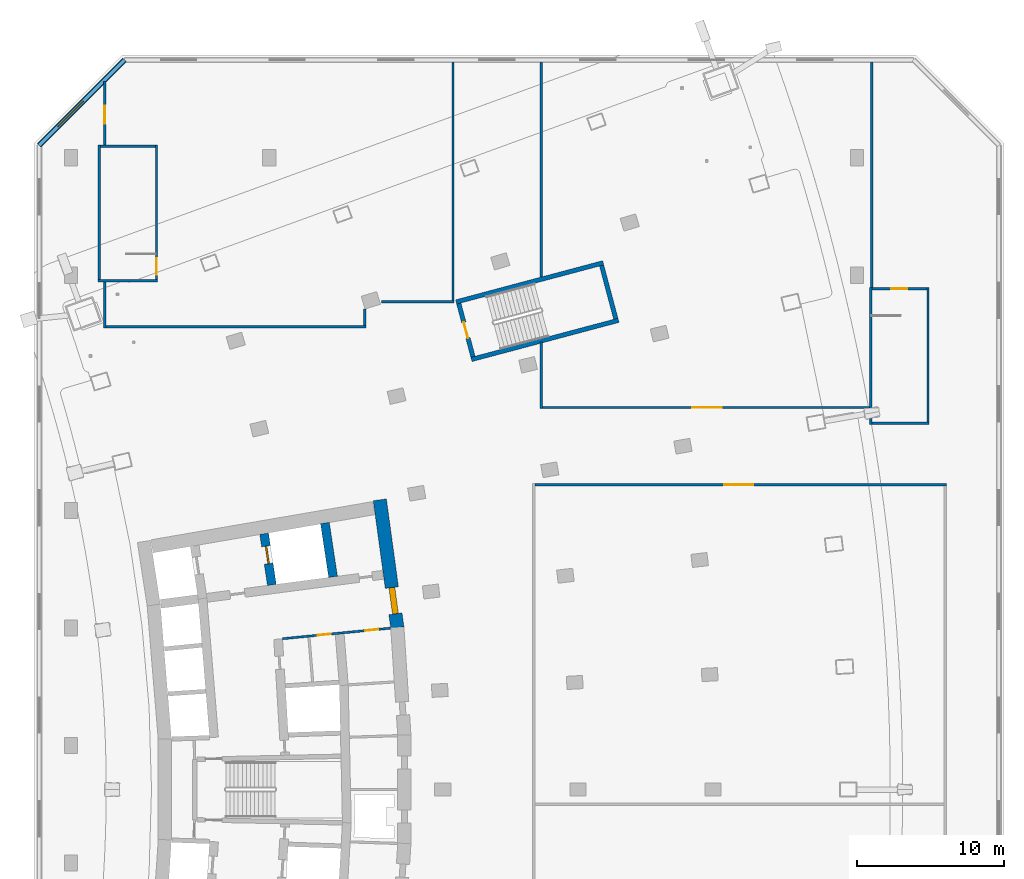
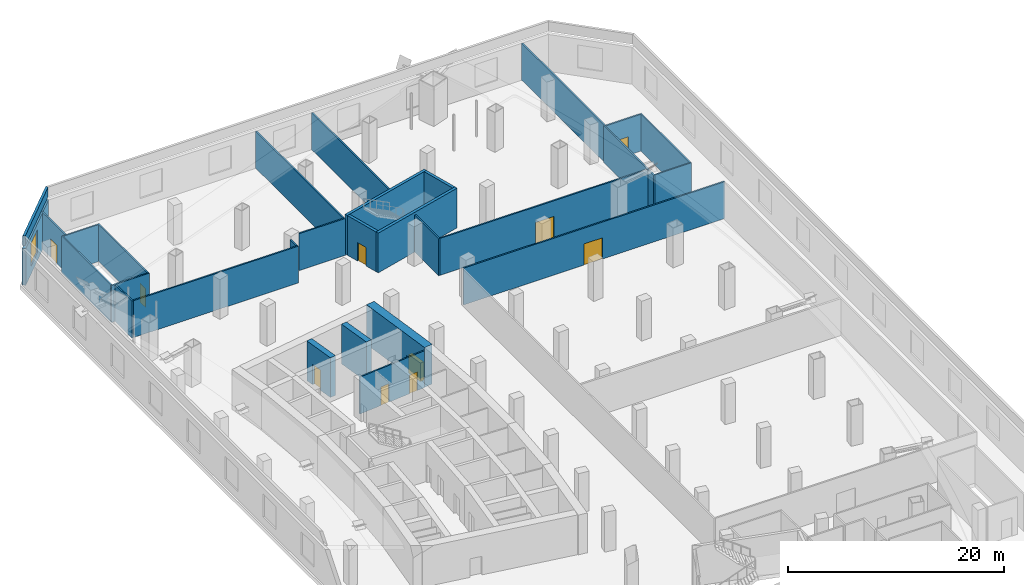
# One storey, part 17 of 19: 29 walls, 10 doors, 1 window, 11 openings.
"""IFC4 building model written with IfcOpenShell, lengths in metres."""

from ifc_helpers import new_model, si_unit, direction, frame, frame_2d, origin, place, context, subcontext, project, spatial, rectangle, extrude, material, layer, layer_set, type_object, element, fill, save


model = new_model("IFC4")

# Units and contexts
model_context = context("Model", 3, precision=1e-05, world=origin(), true_north=direction((0.0, 1.0)))
body_context = subcontext(model_context, "Body", "Model", "MODEL_VIEW")
ifc_project = project(units=[si_unit("LENGTHUNIT", "METRE"), si_unit("AREAUNIT", "SQUARE_METRE"), si_unit("VOLUMEUNIT", "CUBIC_METRE"), si_unit("PLANEANGLEUNIT", "RADIAN"), si_unit("MASSUNIT", "GRAM", prefix="KILO")], contexts=[model_context])

# Site, building, storey
site_placement = place(None, origin())
site = spatial("IfcSite", under=ifc_project, at=site_placement, CompositionType="ELEMENT")
building_placement = place(site_placement, origin())
building = spatial("IfcBuilding", under=site, at=building_placement, Name="Alderwake Tower", CompositionType="ELEMENT")
storey_placement = place(building_placement, frame((0.0, 0.0, 27.5)))
storey = spatial("IfcBuildingStorey", under=building, at=storey_placement, Name="L05", CompositionType="ELEMENT", Elevation=27.5)

# Wall, openings, doors
ifc_material_1 = material(Name="Gypsum shaft wall system, rated")
ifc_layer_1 = layer(ifc_material_1, 0.14990234375)
ifc_layer_set_1 = layer_set([ifc_layer_1], Name="Core room partition 150")
wall_type_1 = type_object("IfcWallType", Name="Core room partition 150", PredefinedType="PARTITIONING", material=ifc_layer_set_1)
wall_1_placement = place(storey_placement, frame((32.233642578125, 71.982177734375, 0.0), z_axis=(0.0, 0.0, 1.0), x_axis=(-0.995245540971, -0.097397706226, 0.0)))
wall_1 = element("IfcWall", 1, at=wall_1_placement, inside=storey, type_object=wall_type_1, Name="CW/L05/PR+102_+86", PredefinedType="PARTITIONING", context=body_context, shape_type="SweptSolid", body=[
    extrude(rectangle(XDim=7.36962890625, YDim=0.14990234375, at=frame_2d((3.684814453125, 0.0))), origin(), (0.0, 0.0, 1.0), 4.179931640625),
])
opening_1_placement = place(wall_1_placement, frame((4.069580078125, 0.0, 0.0)))
opening_1 = element("IfcOpeningElement", 2, at=opening_1_placement, cuts=wall_1, Name="Opening C022", PredefinedType="OPENING", context=body_context, shape_type="SweptSolid", body=[
    extrude(rectangle(XDim=0.89990234375, YDim=2.10009765625, at=frame_2d((0.449951171875, 1.050048828125))), frame((0.0, 0.0849609375, 0.0), z_axis=(0.0, -1.0, 0.0), x_axis=(1.0, 0.0, 0.0)), (0.0, 0.0, 1.0), 0.169921875),
])
opening_2_placement = place(wall_1_placement, frame((0.819580078125, 0.0, 0.0)))
opening_2 = element("IfcOpeningElement", 3, at=opening_2_placement, cuts=wall_1, Name="Opening C036", PredefinedType="OPENING", context=body_context, shape_type="SweptSolid", body=[
    extrude(rectangle(XDim=0.89990234375, YDim=2.10009765625, at=frame_2d((0.449951171875, 1.050048828125))), frame((0.0, 0.0849609375, 0.0), z_axis=(0.0, -1.0, 0.0), x_axis=(1.0, 0.0, 0.0)), (0.0, 0.0, 1.0), 0.169921875),
])
ifc_material_2 = material(Name="Painted steel leaf", Category="steel")
door_type_1 = type_object("IfcDoorType", Name="Core room door 900", OperationType="SINGLE_SWING_LEFT", PredefinedType="DOOR", material=ifc_material_2)
door_1_placement = place(opening_1_placement, origin())
door_1 = element("IfcDoor", 4, at=door_1_placement, inside=storey, type_object=door_type_1, Name="Room door", OperationType="SINGLE_SWING_RIGHT", OverallHeight=2.10009765625, OverallWidth=0.89990234375, PredefinedType="DOOR", context=body_context, shape_type="SweptSolid", body=[
    extrude(rectangle(XDim=0.89990234375, YDim=2.10009765625, at=frame_2d((0.449951171875, 1.050048828125))), frame((0.0, 0.02490234375, 0.0), z_axis=(0.0, -1.0, 0.0), x_axis=(1.0, 0.0, 0.0)), (0.0, 0.0, 1.0), 0.050048828125),
])
fill(opening_1, door_1)
door_2_placement = place(opening_2_placement, origin())
door_2 = element("IfcDoor", 5, at=door_2_placement, inside=storey, type_object=door_type_1, Name="Room door", OperationType="SINGLE_SWING_LEFT", OverallHeight=2.10009765625, OverallWidth=0.89990234375, PredefinedType="DOOR", context=body_context, shape_type="SweptSolid", body=[
    extrude(rectangle(XDim=0.89990234375, YDim=2.10009765625, at=frame_2d((0.449951171875, 1.050048828125))), frame((0.0, 0.02490234375, 0.0), z_axis=(0.0, -1.0, 0.0), x_axis=(1.0, 0.0, 0.0)), (0.0, 0.0, 1.0), 0.050048828125),
])
fill(opening_2, door_2)

# Wall, opening, door
ifc_material_3 = material(Name="Concrete C70/85", Category="concrete")
ifc_layer_2 = layer(ifc_material_3, 0.89990234375)
ifc_layer_set_2 = layer_set([ifc_layer_2], Name="Core wall outer 900 C70-85")
wall_type_2 = type_object("IfcWallType", Name="Core wall outer 900 C70-85", PredefinedType="SHEAR", material=ifc_layer_set_2)
wall_2_placement = place(storey_placement, frame((31.520263671875, 80.7177734375, 0.0), z_axis=(0.0, 0.0, 1.0), x_axis=(0.135844728876, -0.990730139663, 0.0)))
wall_2 = element("IfcWall", 6, at=wall_2_placement, inside=storey, type_object=wall_type_2, Name="Core wall CW.009", PredefinedType="SHEAR", context=body_context, shape_type="SweptSolid", body=[
    extrude(rectangle(XDim=8.78662109375, YDim=0.89990234375, at=frame_2d((4.393310546875, 0.0))), origin(), (0.0, 0.0, 1.0), 4.5),
])
opening_3_placement = place(wall_2_placement, frame((6.02978515625, 0.0, 0.0)))
opening_3 = element("IfcOpeningElement", 7, at=opening_3_placement, cuts=wall_2, Name="Opening C001", PredefinedType="OPENING", context=body_context, shape_type="SweptSolid", body=[
    extrude(rectangle(XDim=1.800048828125, YDim=2.10009765625, at=frame_2d((0.89990234375, 1.050048828125))), frame((0.0, 0.4599609375, 0.0), z_axis=(0.0, -1.0, 0.0), x_axis=(1.0, 0.0, 0.0)), (0.0, 0.0, 1.0), 0.919921875),
])
ifc_material_4 = material(Name="Steel-framed fire door leaves", Category="steel")
door_type_2 = type_object("IfcDoorType", Name="Core double door 1800 fire-rated", OperationType="DOUBLE_DOOR_SINGLE_SWING", PredefinedType="DOOR", material=ifc_material_4)
door_3_placement = place(opening_3_placement, origin())
door_3 = element("IfcDoor", 8, at=door_3_placement, inside=storey, type_object=door_type_2, Name="Lobby double door", OperationType="DOUBLE_DOOR_SINGLE_SWING", OverallHeight=2.10009765625, OverallWidth=1.800048828125, PredefinedType="DOOR", context=body_context, shape_type="SweptSolid", body=[
    extrude(rectangle(XDim=1.800048828125, YDim=2.10009765625, at=frame_2d((0.89990234375, 1.050048828125))), frame((0.0, 0.199951171875, 0.0), z_axis=(0.0, -1.0, 0.0), x_axis=(1.0, 0.0, 0.0)), (0.0, 0.0, 1.0), 0.39990234375),
])
fill(opening_3, door_3)

ifc_material_5 = material(Name="Concrete C70/85", Category="concrete")
ifc_layer_3 = layer(ifc_material_5, 0.60009765625)
ifc_layer_set_3 = layer_set([ifc_layer_3], Name="Core wall spine 600 C70-85")
wall_type_3 = type_object("IfcWallType", Name="Core wall spine 600 C70-85", PredefinedType="SHEAR", material=ifc_layer_set_3)
wall_3_placement = place(storey_placement, frame((24.173095703125, 74.927734375, 0.0), z_axis=(0.0, 0.0, 1.0), x_axis=(-0.14910953086, 0.988820685365, 0.0)))
wall_3 = element("IfcWall", 9, at=wall_3_placement, inside=storey, type_object=wall_type_3, Name="Core wall CW.044", PredefinedType="SHEAR", context=body_context, shape_type="SweptSolid", body=[
    extrude(rectangle(XDim=3.5234375, YDim=0.60009765625, at=frame_2d((1.76171875, 0.0))), origin(), (0.0, 0.0, 1.0), 4.5),
])
opening_4_placement = place(wall_3_placement, frame((1.4619140625, 0.0, 0.0)))
opening_4 = element("IfcOpeningElement", 10, at=opening_4_placement, cuts=wall_3, Name="Opening LD-FF2", PredefinedType="OPENING", context=body_context, shape_type="SweptSolid", body=[
    extrude(rectangle(XDim=1.199951171875, YDim=2.300048828125, at=frame_2d((0.60009765625, 1.14990234375))), frame((0.0, 0.31005859375, 0.0), z_axis=(0.0, -1.0, 0.0), x_axis=(1.0, 0.0, 0.0)), (0.0, 0.0, 1.0), 0.6201171875),
])
ifc_material_6 = material(Name="Stainless steel sliding leaf", Category="steel")
door_type_3 = type_object("IfcDoorType", Name="Lift landing door 1200", OperationType="SLIDING_TO_LEFT", PredefinedType="DOOR", material=ifc_material_6)
door_4_placement = place(opening_4_placement, origin())
door_4 = element("IfcDoor", 11, at=door_4_placement, inside=storey, type_object=door_type_3, Name="Lift landing door FF2", OperationType="SLIDING_TO_LEFT", OverallHeight=2.300048828125, OverallWidth=1.199951171875, PredefinedType="DOOR", context=body_context, shape_type="SweptSolid", body=[
    extrude(rectangle(XDim=1.199951171875, YDim=2.300048828125, at=frame_2d((0.60009765625, 1.14990234375))), frame((0.0, 0.050048828125, 0.0), z_axis=(0.0, -1.0, 0.0), x_axis=(1.0, 0.0, 0.0)), (0.0, 0.0, 1.0), 0.10009765625),
])
fill(opening_4, door_4)

# Walls
wall_4_placement = place(storey_placement, frame((28.337646484375, 75.472412109375, 0.0), z_axis=(0.0, 0.0, 1.0), x_axis=(-0.149224787751, 0.988803298296, 0.0)))
element("IfcWall", 12, at=wall_4_placement, inside=storey, type_object=wall_type_3, Name="Core wall CW.001", PredefinedType="SHEAR", context=body_context, shape_type="SweptSolid", body=[
    extrude(rectangle(XDim=3.712158203125, YDim=0.60009765625, at=frame_2d((1.85595703125, 0.0))), origin(), (0.0, 0.0, 1.0), 4.5),
])
ifc_material_7 = material(Name="Concrete C70/85", Category="concrete")
ifc_layer_4 = layer(ifc_material_7, 0.300048828125)
ifc_layer_set_4 = layer_set([ifc_layer_4], Name="Core wall stair enclosure 300 C70-85")
wall_type_4 = type_object("IfcWallType", Name="Core wall stair enclosure 300 C70-85", PredefinedType="SHEAR", material=ifc_layer_set_4)
for number, where, z_axis, x_axis, name in (
    (13, (36.71142578125, 94.182373046875, 0.0), (0.0, 0.0, 1.0), (0.966309214305, 0.257383958996, 0.0), "Core wall CW.082"),
    (14, (37.75390625, 90.268798828125, 0.0), (0.0, 0.0, 1.0), (0.966309214305, 0.257383958996, 0.0), "Core wall CW.084"),
):
    element("IfcWall", number, at=place(storey_placement, frame(where, z_axis=z_axis, x_axis=x_axis)), inside=storey, type_object=wall_type_4, Name=name, PredefinedType="SHEAR", context=body_context, shape_type="SweptSolid", body=[
        extrude(rectangle(XDim=10.360107421875, YDim=0.300048828125, at=frame_2d((5.18017578125, 0.0))), origin(), (0.0, 0.0, 1.0), 4.5),
    ])

# Wall, opening, door
wall_5_placement = place(storey_placement, frame((37.8603515625, 90.452392578125, 0.0), z_axis=(0.0, 0.0, 1.0), x_axis=(-0.257411420208, 0.966301899381, 0.0)))
wall_5 = element("IfcWall", 15, at=wall_5_placement, inside=storey, type_object=wall_type_4, Name="Core wall CW.083", PredefinedType="SHEAR", context=body_context, shape_type="SweptSolid", body=[
    extrude(rectangle(XDim=3.750244140625, YDim=0.300048828125, at=frame_2d((1.875, 0.0))), origin(), (0.0, 0.0, 1.0), 4.5),
])
opening_5_placement = place(wall_5_placement, frame((1.324951171875, 0.0, 0.0)))
opening_5 = element("IfcOpeningElement", 16, at=opening_5_placement, cuts=wall_5, Name="Opening C062", PredefinedType="OPENING", context=body_context, shape_type="SweptSolid", body=[
    extrude(rectangle(XDim=1.10009765625, YDim=2.10009765625, at=frame_2d((0.550048828125, 1.050048828125))), frame((0.0, 0.159912109375, 0.0), z_axis=(0.0, -1.0, 0.0), x_axis=(1.0, 0.0, 0.0)), (0.0, 0.0, 1.0), 0.320068359375),
])
ifc_material_8 = material(Name="Steel-framed fire door leaf", Category="steel")
door_type_4 = type_object("IfcDoorType", Name="Core stair door 1100 fire-rated", OperationType="SINGLE_SWING_LEFT", PredefinedType="DOOR", material=ifc_material_8)
door_5_placement = place(opening_5_placement, origin())
door_5 = element("IfcDoor", 17, at=door_5_placement, inside=storey, type_object=door_type_4, Name="Stair door", OperationType="SINGLE_SWING_RIGHT", OverallHeight=2.10009765625, OverallWidth=1.10009765625, PredefinedType="DOOR", context=body_context, shape_type="SweptSolid", body=[
    extrude(rectangle(XDim=1.10009765625, YDim=2.10009765625, at=frame_2d((0.550048828125, 1.050048828125))), frame((0.0, 0.02490234375, 0.0), z_axis=(0.0, -1.0, 0.0), x_axis=(1.0, 0.0, 0.0)), (0.0, 0.0, 1.0), 0.050048828125),
])
fill(opening_5, door_5)

# Walls
wall_6_placement = place(storey_placement, frame((47.581298828125, 93.041748046875, 0.0), z_axis=(0.0, 0.0, 1.0), x_axis=(-0.257366821694, 0.966313778796, 0.0)))
element("IfcWall", 18, at=wall_6_placement, inside=storey, type_object=wall_type_4, Name="Core wall CW.081", PredefinedType="SHEAR", context=body_context, shape_type="SweptSolid", body=[
    extrude(rectangle(XDim=3.749755859375, YDim=0.300048828125, at=frame_2d((1.875, 0.0))), origin(), (0.0, 0.0, 1.0), 4.5),
])
ifc_material_9 = material(Name="Gypsum board on metal studs, rated")
ifc_layer_5 = layer(ifc_material_9, 0.159912109375)
ifc_layer_set_5 = layer_set([ifc_layer_5], Name="Corridor wall 160")
wall_type_5 = type_object("IfcWallType", Name="Corridor wall 160", PredefinedType="PARTITIONING", material=ifc_layer_set_5)
wall_7_placement = place(storey_placement, frame((12.801025390625, 92.4189453125, 0.0), z_axis=(0.0, 0.0, 1.0), x_axis=(0.0, 1.0, 0.0)))
element("IfcWall", 19, at=wall_7_placement, inside=storey, type_object=wall_type_5, Name="WL/L05/W24", PredefinedType="PARTITIONING", context=body_context, shape_type="SweptSolid", body=[
    extrude(rectangle(XDim=3.131103515625, YDim=0.159912109375, at=frame_2d((1.5654296875, 0.0))), origin(), (0.0, 0.0, 1.0), 4.179931640625),
])

# Wall, opening, door
wall_8_placement = place(storey_placement, frame((12.801025390625, 104.85009765625, 0.0), z_axis=(0.0, 0.0, 1.0), x_axis=(0.0, 1.0, 0.0)))
wall_8 = element("IfcWall", 20, at=wall_8_placement, inside=storey, type_object=wall_type_5, Name="WL/L05/W25", PredefinedType="PARTITIONING", context=body_context, shape_type="SweptSolid", body=[
    extrude(rectangle(XDim=4.322021484375, YDim=0.159912109375, at=frame_2d((2.1611328125, 0.0))), origin(), (0.0, 0.0, 1.0), 4.179931640625),
])
opening_6_placement = place(wall_8_placement, frame((1.47509765625, 0.0, 0.0)))
opening_6 = element("IfcOpeningElement", 21, at=opening_6_placement, cuts=wall_8, Name="Opening L05-04", PredefinedType="OPENING", context=body_context, shape_type="SweptSolid", body=[
    extrude(rectangle(XDim=1.199951171875, YDim=2.10009765625, at=frame_2d((0.60009765625, 1.050048828125))), frame((0.0, 0.08984375, 0.0), z_axis=(0.0, -1.0, 0.0), x_axis=(1.0, 0.0, 0.0)), (0.0, 0.0, 1.0), 0.179931640625),
])
ifc_material_10 = material(Name="Steel door leaf in steel frame", Category="steel")
door_type_5 = type_object("IfcDoorType", Name="Plant room door 1200 steel", OperationType="SINGLE_SWING_LEFT", PredefinedType="DOOR", material=ifc_material_10)
door_6_placement = place(opening_6_placement, origin())
door_6 = element("IfcDoor", 22, at=door_6_placement, inside=storey, type_object=door_type_5, Name="DR/L05/04", OperationType="SINGLE_SWING_LEFT", OverallHeight=2.10009765625, OverallWidth=1.199951171875, PredefinedType="DOOR", context=body_context, shape_type="SweptSolid", body=[
    extrude(rectangle(XDim=1.199951171875, YDim=2.10009765625, at=frame_2d((0.60009765625, 1.050048828125))), frame((0.0, 0.02490234375, 0.0), z_axis=(0.0, -1.0, 0.0), x_axis=(1.0, 0.0, 0.0)), (0.0, 0.0, 1.0), 0.050048828125),
])
fill(opening_6, door_6)

# Walls
wall_9_placement = place(storey_placement, frame((30.5810546875, 92.4990234375, 0.0), z_axis=(0.0, 0.0, 1.0), x_axis=(-1.0, 0.0, 0.0)))
element("IfcWall", 23, at=wall_9_placement, inside=storey, type_object=wall_type_5, Name="WL/L05/W28", PredefinedType="PARTITIONING", context=body_context, shape_type="SweptSolid", body=[
    extrude(rectangle(XDim=17.699951171875, YDim=0.159912109375, at=frame_2d((8.85009765625, 0.0))), origin(), (0.0, 0.0, 1.0), 4.179931640625),
])
wall_10_placement = place(storey_placement, frame((30.5009765625, 93.707275390625, 0.0), z_axis=(0.0, 0.0, 1.0), x_axis=(0.0, -1.0, 0.0)))
element("IfcWall", 24, at=wall_10_placement, inside=storey, type_object=wall_type_5, Name="WL/L05/W29", PredefinedType="PARTITIONING", context=body_context, shape_type="SweptSolid", body=[
    extrude(rectangle(XDim=1.128173828125, YDim=0.159912109375, at=frame_2d((0.56396484375, 0.0))), origin(), (0.0, 0.0, 1.0), 4.179931640625),
])
wall_11_placement = place(storey_placement, frame((36.5810546875, 94.199951171875, 0.0), z_axis=(0.0, 0.0, 1.0), x_axis=(-1.0, 0.0, 0.0)))
element("IfcWall", 25, at=wall_11_placement, inside=storey, type_object=wall_type_5, Name="WL/L05/W30", PredefinedType="PARTITIONING", context=body_context, shape_type="SweptSolid", body=[
    extrude(rectangle(XDim=4.945068359375, YDim=0.159912109375, at=frame_2d((2.47265625, 0.0))), origin(), (0.0, 0.0, 1.0), 4.179931640625),
])
wall_12_placement = place(storey_placement, frame((36.5009765625, 110.4990234375, 0.0), z_axis=(0.0, 0.0, 1.0), x_axis=(0.0, -1.0, 0.0)))
element("IfcWall", 26, at=wall_12_placement, inside=storey, type_object=wall_type_5, Name="WL/L05/W31", PredefinedType="PARTITIONING", context=body_context, shape_type="SweptSolid", body=[
    extrude(rectangle(XDim=16.218994140625, YDim=0.159912109375, at=frame_2d((8.109375, 0.0))), origin(), (0.0, 0.0, 1.0), 4.179931640625),
])

# Wall, opening, door
wall_13_placement = place(storey_placement, frame((42.080078125, 81.75, 0.0), z_axis=(0.0, 0.0, 1.0), x_axis=(1.0, 0.0, 0.0)))
wall_13 = element("IfcWall", 27, at=wall_13_placement, inside=storey, type_object=wall_type_5, Name="WL/L05/W35", PredefinedType="PARTITIONING", context=body_context, shape_type="SweptSolid", body=[
    extrude(rectangle(XDim=27.9990234375, YDim=0.159912109375, at=frame_2d((13.99951171875, 0.0))), origin(), (0.0, 0.0, 1.0), 4.179931640625),
])
opening_7_placement = place(wall_13_placement, frame((12.8701171875, 0.0, 0.0)))
opening_7 = element("IfcOpeningElement", 28, at=opening_7_placement, cuts=wall_13, Name="Opening L05-02", PredefinedType="OPENING", context=body_context, shape_type="SweptSolid", body=[
    extrude(rectangle(XDim=2.0, YDim=2.39990234375, at=frame_2d((1.0, 1.199951171875))), frame((0.0, 0.08984375, 0.0), z_axis=(0.0, -1.0, 0.0), x_axis=(1.0, 0.0, 0.0)), (0.0, 0.0, 1.0), 0.179931640625),
])
ifc_material_11 = material(Name="Timber leaves with glazed panels", Category="wood")
door_type_6 = type_object("IfcDoorType", Name="Hall double door 2000", OperationType="DOUBLE_DOOR_SINGLE_SWING", PredefinedType="DOOR", material=ifc_material_11)
door_7_placement = place(opening_7_placement, origin())
door_7 = element("IfcDoor", 29, at=door_7_placement, inside=storey, type_object=door_type_6, Name="DR/L05/02", OperationType="DOUBLE_DOOR_SINGLE_SWING", OverallHeight=2.39990234375, OverallWidth=2.0, PredefinedType="DOOR", context=body_context, shape_type="SweptSolid", body=[
    extrude(rectangle(XDim=2.0, YDim=2.39990234375, at=frame_2d((1.0, 1.199951171875))), frame((0.0, 0.02490234375, 0.0), z_axis=(0.0, -1.0, 0.0), x_axis=(1.0, 0.0, 0.0)), (0.0, 0.0, 1.0), 0.050048828125),
])
fill(opening_7, door_7)

# Walls
wall_14_placement = place(storey_placement, frame((42.5009765625, 86.919921875, 0.0), z_axis=(0.0, 0.0, 1.0), x_axis=(0.0, 1.0, 0.0)))
element("IfcWall", 30, at=wall_14_placement, inside=storey, type_object=wall_type_5, Name="WL/L05/W39", PredefinedType="PARTITIONING", context=body_context, shape_type="SweptSolid", body=[
    extrude(rectangle(XDim=4.537109375, YDim=0.159912109375, at=frame_2d((2.2685546875, 0.0))), origin(), (0.0, 0.0, 1.0), 4.179931640625),
])
wall_15_placement = place(storey_placement, frame((42.5009765625, 95.8798828125, 0.0), z_axis=(0.0, 0.0, 1.0), x_axis=(0.0, 1.0, 0.0)))
element("IfcWall", 31, at=wall_15_placement, inside=storey, type_object=wall_type_5, Name="WL/L05/W41", PredefinedType="PARTITIONING", context=body_context, shape_type="SweptSolid", body=[
    extrude(rectangle(XDim=14.619140625, YDim=0.159912109375, at=frame_2d((7.3095703125, 0.0))), origin(), (0.0, 0.0, 1.0), 4.179931640625),
])

# Wall, opening, door
wall_16_placement = place(storey_placement, frame((64.85107421875, 87.0, 0.0), z_axis=(0.0, 0.0, 1.0), x_axis=(-1.0, 0.0, 0.0)))
wall_16 = element("IfcWall", 32, at=wall_16_placement, inside=storey, type_object=wall_type_5, Name="WL/L05/W52", PredefinedType="PARTITIONING", context=body_context, shape_type="SweptSolid", body=[
    extrude(rectangle(XDim=22.27001953125, YDim=0.159912109375, at=frame_2d((11.135009765625, 0.0))), origin(), (0.0, 0.0, 1.0), 4.179931640625),
])
opening_8_placement = place(wall_16_placement, frame((10.075927734375, 0.0, 0.0)))
opening_8 = element("IfcOpeningElement", 33, at=opening_8_placement, cuts=wall_16, Name="Opening L05-03", PredefinedType="OPENING", context=body_context, shape_type="SweptSolid", body=[
    extrude(rectangle(XDim=2.0, YDim=2.39990234375, at=frame_2d((1.0, 1.199951171875))), frame((0.0, 0.08984375, 0.0), z_axis=(0.0, -1.0, 0.0), x_axis=(1.0, 0.0, 0.0)), (0.0, 0.0, 1.0), 0.179931640625),
])
door_8_placement = place(opening_8_placement, origin())
door_8 = element("IfcDoor", 34, at=door_8_placement, inside=storey, type_object=door_type_6, Name="DR/L05/03", OperationType="DOUBLE_DOOR_SINGLE_SWING", OverallHeight=2.39990234375, OverallWidth=2.0, PredefinedType="DOOR", context=body_context, shape_type="SweptSolid", body=[
    extrude(rectangle(XDim=2.0, YDim=2.39990234375, at=frame_2d((1.0, 1.199951171875))), frame((0.0, 0.02490234375, 0.0), z_axis=(0.0, -1.0, 0.0), x_axis=(1.0, 0.0, 0.0)), (0.0, 0.0, 1.0), 0.050048828125),
])
fill(opening_8, door_8)

# Wall
wall_17_placement = place(storey_placement, frame((65.0009765625, 110.4990234375, 0.0), z_axis=(0.0, 0.0, 1.0), x_axis=(0.0, -1.0, 0.0)))
element("IfcWall", 35, at=wall_17_placement, inside=storey, type_object=wall_type_5, Name="WL/L05/W53", PredefinedType="PARTITIONING", context=body_context, shape_type="SweptSolid", body=[
    extrude(rectangle(XDim=15.34814453125, YDim=0.159912109375, at=frame_2d((7.674072265625, 0.0))), origin(), (0.0, 0.0, 1.0), 4.179931640625),
])

# Wall, opening, window
ifc_material_12 = material(Name="Precast concrete C50/60 spandrel panel", Category="concrete")
ifc_layer_6 = layer(ifc_material_12, 0.35009765625)
ifc_layer_set_6 = layer_set([ifc_layer_6], Name="External wall EW4 Precast concrete C50/60 podium")
wall_type_6 = type_object("IfcWallType", Name="External wall EW4 Precast concrete C50/60 podium", PredefinedType="SOLIDWALL", material=ifc_layer_set_6)
wall_18_placement = place(storey_placement, frame((14.14501953125, 110.64990234375, 0.0), z_axis=(0.0, 0.0, 1.0), x_axis=(-0.707121649021, -0.707091913039, 0.0)))
wall_18 = element("IfcWall", 36, at=wall_18_placement, inside=storey, type_object=wall_type_6, Name="External wall 6", PredefinedType="SOLIDWALL", context=body_context, shape_type="SweptSolid", body=[
    extrude(rectangle(XDim=8.210205078125, YDim=0.35009765625, at=frame_2d((4.10498046875, 0.0))), origin(), (0.0, 0.0, 1.0), 4.179931640625),
])
opening_9_placement = place(wall_18_placement, frame((3.992919921875, 0.0, 0.89990234375)))
opening_9 = element("IfcOpeningElement", 37, at=opening_9_placement, cuts=wall_18, Name="Opening W6", PredefinedType="OPENING", context=body_context, shape_type="SweptSolid", body=[
    extrude(rectangle(XDim=2.39990234375, YDim=2.60009765625, at=frame_2d((1.199951171875, 1.300048828125))), frame((0.0, 0.18505859375, 0.0), z_axis=(0.0, -1.0, 0.0), x_axis=(1.0, 0.0, 0.0)), (0.0, 0.0, 1.0), 0.3701171875),
])
ifc_material_13 = material(Name="Bronze tinted glass in aluminium frame", Category="aluminium")
window_type = type_object("IfcWindowType", Name="Window W6 podium", PartitioningType="DOUBLE_PANEL_VERTICAL", PredefinedType="WINDOW", material=ifc_material_13)
window_placement = place(opening_9_placement, origin())
window = element("IfcWindow", 38, at=window_placement, inside=storey, type_object=window_type, Name="Window W6 podium", OverallHeight=2.60009765625, OverallWidth=2.39990234375, PartitioningType="DOUBLE_PANEL_VERTICAL", PredefinedType="WINDOW", context=body_context, shape_type="SweptSolid", body=[
    extrude(rectangle(XDim=2.39990234375, YDim=2.60009765625, at=frame_2d((1.199951171875, 1.300048828125))), frame((0.0, 0.030029296875, 0.0), z_axis=(0.0, -1.0, 0.0), x_axis=(1.0, 0.0, 0.0)), (0.0, 0.0, 1.0), 0.06005859375),
])
fill(opening_9, window)

# Walls
ifc_material_14 = material(Name="Gypsum shaft wall system, rated")
ifc_layer_7 = layer(ifc_material_14, 0.14990234375)
ifc_layer_set_7 = layer_set([ifc_layer_7], Name="Riser and shaft wall 150")
wall_type_7 = type_object("IfcWallType", Name="Riser and shaft wall 150", PredefinedType="PARTITIONING", material=ifc_layer_set_7)
wall_19_placement = place(storey_placement, frame((12.35107421875, 95.625, 0.0), z_axis=(0.0, 0.0, 1.0), x_axis=(1.0, 0.0, 0.0)))
element("IfcWall", 39, at=wall_19_placement, inside=storey, type_object=wall_type_7, Name="WL/L05/W08", PredefinedType="PARTITIONING", context=body_context, shape_type="SweptSolid", body=[
    extrude(rectangle(XDim=4.0498046875, YDim=0.14990234375, at=frame_2d((2.02490234375, 0.0))), origin(), (0.0, 0.0, 1.0), 4.179931640625),
])
wall_20_placement = place(storey_placement, frame((12.426025390625, 104.85009765625, 0.0), z_axis=(0.0, 0.0, 1.0), x_axis=(0.0, -1.0, 0.0)))
element("IfcWall", 40, at=wall_20_placement, inside=storey, type_object=wall_type_7, Name="WL/L05/W09", PredefinedType="PARTITIONING", context=body_context, shape_type="SweptSolid", body=[
    extrude(rectangle(XDim=9.150146484375, YDim=0.14990234375, at=frame_2d((4.5751953125, 0.0))), origin(), (0.0, 0.0, 1.0), 4.179931640625),
])

# Wall, opening, door
wall_21_placement = place(storey_placement, frame((16.325927734375, 95.699951171875, 0.0), z_axis=(0.0, 0.0, 1.0), x_axis=(0.0, 1.0, 0.0)))
wall_21 = element("IfcWall", 41, at=wall_21_placement, inside=storey, type_object=wall_type_7, Name="WL/L05/W12", PredefinedType="PARTITIONING", context=body_context, shape_type="SweptSolid", body=[
    extrude(rectangle(XDim=9.150146484375, YDim=0.14990234375, at=frame_2d((4.5751953125, 0.0))), origin(), (0.0, 0.0, 1.0), 4.179931640625),
])
opening_10_placement = place(wall_21_placement, frame((0.35009765625, 0.0, 0.0)))
opening_10 = element("IfcOpeningElement", 42, at=opening_10_placement, cuts=wall_21, Name="Opening L05-11", PredefinedType="OPENING", context=body_context, shape_type="SweptSolid", body=[
    extrude(rectangle(XDim=1.10009765625, YDim=2.10009765625, at=frame_2d((0.550048828125, 1.050048828125))), frame((0.0, 0.0849609375, 0.0), z_axis=(0.0, -1.0, 0.0), x_axis=(1.0, 0.0, 0.0)), (0.0, 0.0, 1.0), 0.169921875),
])
ifc_material_15 = material(Name="Steel-framed fire door leaf", Category="steel")
door_type_7 = type_object("IfcDoorType", Name="Stair door 1100 fire-rated", OperationType="SINGLE_SWING_LEFT", PredefinedType="DOOR", material=ifc_material_15)
door_9_placement = place(opening_10_placement, origin())
door_9 = element("IfcDoor", 43, at=door_9_placement, inside=storey, type_object=door_type_7, Name="DR/L05/11", OperationType="SINGLE_SWING_LEFT", OverallHeight=2.10009765625, OverallWidth=1.10009765625, PredefinedType="DOOR", context=body_context, shape_type="SweptSolid", body=[
    extrude(rectangle(XDim=1.10009765625, YDim=2.10009765625, at=frame_2d((0.550048828125, 1.050048828125))), frame((0.0, 0.02490234375, 0.0), z_axis=(0.0, -1.0, 0.0), x_axis=(1.0, 0.0, 0.0)), (0.0, 0.0, 1.0), 0.050048828125),
])
fill(opening_10, door_9)

# Walls
wall_22_placement = place(storey_placement, frame((16.2509765625, 104.77490234375, 0.0), z_axis=(0.0, 0.0, 1.0), x_axis=(-1.0, 0.0, 0.0)))
element("IfcWall", 44, at=wall_22_placement, inside=storey, type_object=wall_type_7, Name="WL/L05/W13", PredefinedType="PARTITIONING", context=body_context, shape_type="SweptSolid", body=[
    extrude(rectangle(XDim=3.75, YDim=0.14990234375, at=frame_2d((1.875, 0.0))), origin(), (0.0, 0.0, 1.0), 4.179931640625),
])
wall_23_placement = place(storey_placement, frame((64.926025390625, 85.85107421875, 0.0), z_axis=(0.0, 0.0, 1.0), x_axis=(0.0, 1.0, 0.0)))
element("IfcWall", 45, at=wall_23_placement, inside=storey, type_object=wall_type_7, Name="WL/L05/W16", PredefinedType="PARTITIONING", context=body_context, shape_type="SweptSolid", body=[
    extrude(rectangle(XDim=9.2998046875, YDim=0.14990234375, at=frame_2d((4.64990234375, 0.0))), origin(), (0.0, 0.0, 1.0), 4.179931640625),
])
wall_24_placement = place(storey_placement, frame((65.0009765625, 85.926025390625, 0.0), z_axis=(0.0, 0.0, 1.0), x_axis=(1.0, 0.0, 0.0)))
element("IfcWall", 46, at=wall_24_placement, inside=storey, type_object=wall_type_7, Name="WL/L05/W17", PredefinedType="PARTITIONING", context=body_context, shape_type="SweptSolid", body=[
    extrude(rectangle(XDim=3.89990234375, YDim=0.14990234375, at=frame_2d((1.949951171875, 0.0))), origin(), (0.0, 0.0, 1.0), 4.179931640625),
])
wall_25_placement = place(storey_placement, frame((68.825927734375, 86.0009765625, 0.0), z_axis=(0.0, 0.0, 1.0), x_axis=(0.0, 1.0, 0.0)))
element("IfcWall", 47, at=wall_25_placement, inside=storey, type_object=wall_type_7, Name="WL/L05/W20", PredefinedType="PARTITIONING", context=body_context, shape_type="SweptSolid", body=[
    extrude(rectangle(XDim=9.14990234375, YDim=0.14990234375, at=frame_2d((4.574951171875, 0.0))), origin(), (0.0, 0.0, 1.0), 4.179931640625),
])

# Wall, opening, door
wall_26_placement = place(storey_placement, frame((65.0009765625, 95.075927734375, 0.0), z_axis=(0.0, 0.0, 1.0), x_axis=(1.0, 0.0, 0.0)))
wall_26 = element("IfcWall", 48, at=wall_26_placement, inside=storey, type_object=wall_type_7, Name="WL/L05/W21", PredefinedType="PARTITIONING", context=body_context, shape_type="SweptSolid", body=[
    extrude(rectangle(XDim=3.75, YDim=0.14990234375, at=frame_2d((1.875, 0.0))), origin(), (0.0, 0.0, 1.0), 4.179931640625),
])
opening_11_placement = place(wall_26_placement, frame((1.323974609375, 0.0, 0.0)))
opening_11 = element("IfcOpeningElement", 49, at=opening_11_placement, cuts=wall_26, Name="Opening L05-12", PredefinedType="OPENING", context=body_context, shape_type="SweptSolid", body=[
    extrude(rectangle(XDim=1.10009765625, YDim=2.10009765625, at=frame_2d((0.550048828125, 1.050048828125))), frame((0.0, 0.0849609375, 0.0), z_axis=(0.0, -1.0, 0.0), x_axis=(1.0, 0.0, 0.0)), (0.0, 0.0, 1.0), 0.169921875),
])
door_10_placement = place(opening_11_placement, origin())
door_10 = element("IfcDoor", 50, at=door_10_placement, inside=storey, type_object=door_type_7, Name="DR/L05/12", OperationType="SINGLE_SWING_LEFT", OverallHeight=2.10009765625, OverallWidth=1.10009765625, PredefinedType="DOOR", context=body_context, shape_type="SweptSolid", body=[
    extrude(rectangle(XDim=1.10009765625, YDim=2.10009765625, at=frame_2d((0.550048828125, 1.050048828125))), frame((0.0, 0.02490234375, 0.0), z_axis=(0.0, -1.0, 0.0), x_axis=(1.0, 0.0, 0.0)), (0.0, 0.0, 1.0), 0.050048828125),
])
fill(opening_11, door_10)

# Wall
ifc_material_16 = material(Name="Precast concrete C50/60 spandrel panel", Category="concrete")
ifc_layer_8 = layer(ifc_material_16, 0.25)
ifc_layer_set_8 = layer_set([ifc_layer_8], Name="Roof parapet PA1 Precast concrete C50/60")
wall_type_8 = type_object("IfcWallType", Name="Roof parapet PA1 Precast concrete C50/60", PredefinedType="PARAPET", material=ifc_layer_set_8)
wall_27_placement = place(storey_placement, frame((14.14501953125, 110.64990234375, 4.5), z_axis=(0.0, 0.0, 1.0), x_axis=(-0.707121649021, -0.707091913039, 0.0)))
element("IfcWall", 51, at=wall_27_placement, inside=storey, type_object=wall_type_8, Name="External wall 14", PredefinedType="PARAPET", context=body_context, shape_type="SweptSolid", body=[
    extrude(rectangle(XDim=8.210205078125, YDim=0.25, at=frame_2d((4.10498046875, 0.0))), origin(), (0.0, 0.0, 1.0), 1.10009765625),
])

save(model, "model.ifc")
